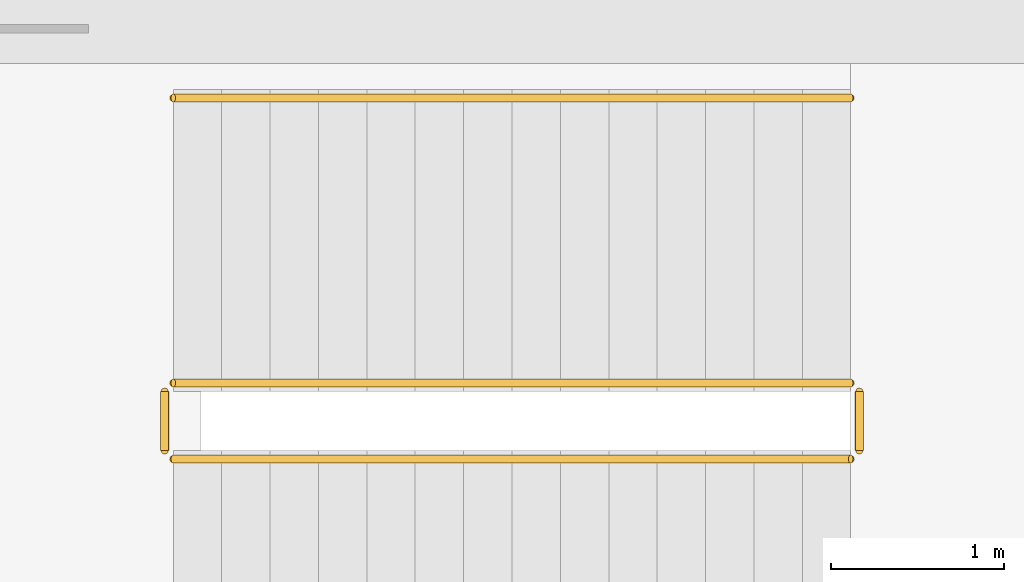
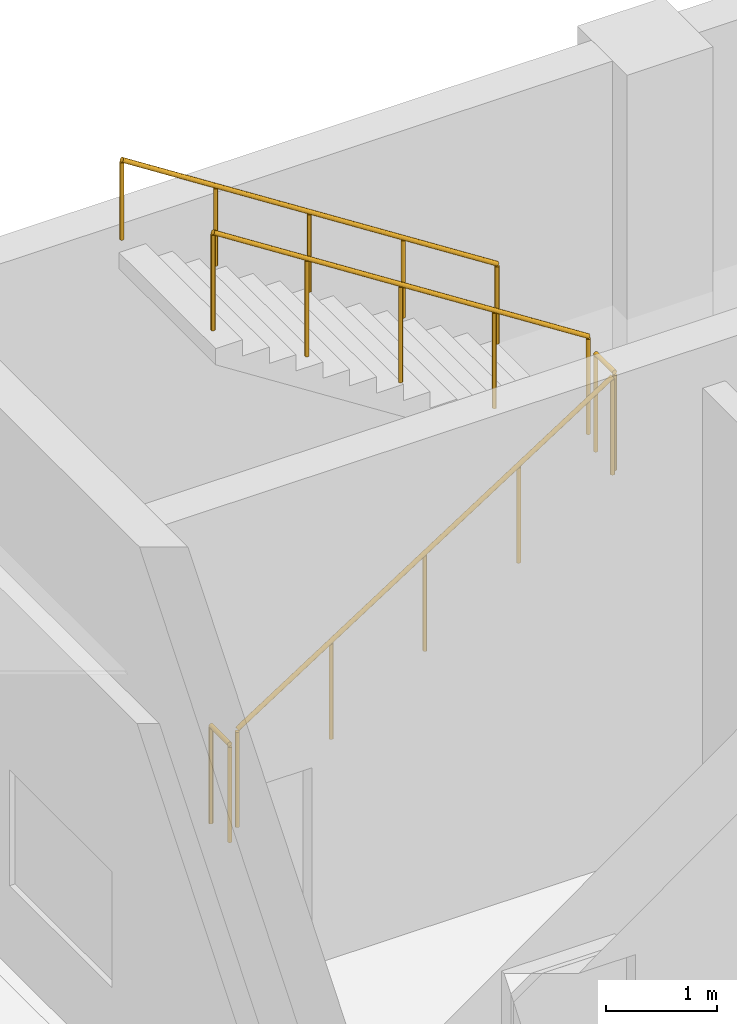
# One storey, part 64 of 65: 5 railings.
"""IFC4 building model written with IfcOpenShell, lengths in metres."""

import ifcopenshell
import ifcopenshell.guid

model = None  # the IFC model being written
_history = None  # IfcOwnerHistory: only IFC2X3 demands one
_inside = {}  # id of a spatial element -> (the spatial element, [elements in it])
_under = {}  # id of a project, library or spatial element -> (it, [spatial elements below it])
_declared = {}  # id of a project -> (the project, [libraries it declares])
_typed = {}  # id of a type object -> (the type object, [elements of that type])
_made_of = {}  # id of a material, layer set ... -> (it, [elements and type objects made of it])


def new_model(schema):
    """Start an empty IFC model of exactly this schema.

    Asked for "IFC4X3", IfcOpenShell would pick the latest addendum, in which some entities
    have other attributes; the version numbers below select the first issue.
    IFC2X3 requires an IfcOwnerHistory on every rooted entity: one is made here for all.
    """
    global model, _history
    if schema == "IFC4X3":
        model = ifcopenshell.file(schema_version=(4, 3, 0, 0))
    else:
        model = ifcopenshell.file(schema=schema)
    _inside.clear()
    _under.clear()
    _declared.clear()
    _typed.clear()
    _made_of.clear()
    _history = None
    if model.schema == "IFC2X3":
        org = make("IfcOrganization", Name="unknown")
        user = make(
            "IfcPersonAndOrganization",
            ThePerson=make("IfcPerson", FamilyName="unknown"),
            TheOrganization=org,
        )
        app = make(
            "IfcApplication",
            ApplicationDeveloper=org,
            Version="unknown",
            ApplicationFullName="unknown",
            ApplicationIdentifier="unknown",
        )
        _history = make(
            "IfcOwnerHistory",
            OwningUser=user,
            OwningApplication=app,
            ChangeAction="ADDED",
            CreationDate=0,
        )
    return model


def make(cls, **values):
    """One entity of the class cls with the attributes given. An attribute that is None is left unset."""
    return model.create_entity(
        cls, **{name: value for name, value in values.items() if value is not None}
    )


def rooted(cls, **values):
    """An entity with a GlobalId (a new one), such as an element, a storey or a relation."""
    return make(cls, GlobalId=ifcopenshell.guid.new(), OwnerHistory=_history, **values)


def si_unit(unit_type, name, prefix=None):
    """IfcSIUnit, for example si_unit("LENGTHUNIT", "METRE", prefix="MILLI")."""
    return make("IfcSIUnit", UnitType=unit_type, Prefix=prefix, Name=name)


def assignment(units):
    """IfcUnitAssignment: the units of a project."""
    return None if units is None else make("IfcUnitAssignment", Units=units)


def point(xyz):
    """IfcCartesianPoint."""
    return None if xyz is None else make("IfcCartesianPoint", Coordinates=xyz)


def direction(xyz):
    """IfcDirection."""
    return None if xyz is None else make("IfcDirection", DirectionRatios=xyz)


def frame(location, z_axis=None, x_axis=None):
    """IfcAxis2Placement3D, a coordinate frame: its origin and axes. An axis left out is left unset."""
    return make(
        "IfcAxis2Placement3D",
        Location=point(location),
        Axis=direction(z_axis),
        RefDirection=direction(x_axis),
    )


def frame_2d(location, x_axis=None):
    """IfcAxis2Placement2D, a coordinate frame in the plane: its origin and x axis."""
    return make(
        "IfcAxis2Placement2D", Location=point(location), RefDirection=direction(x_axis)
    )


def origin():
    """The frame at (0, 0, 0) with its axes left unset."""
    return frame((0.0, 0.0, 0.0))


def origin_2d():
    """The frame at (0, 0) in the plane with its x axis left unset."""
    return frame_2d((0.0, 0.0))


def place(relative_to, where):
    """IfcLocalPlacement: puts the frame where relative to a parent placement (None: the world)."""
    return make(
        "IfcLocalPlacement", PlacementRelTo=relative_to, RelativePlacement=where
    )


def context(
    kind, dimensions, precision=None, world=None, true_north=None, identifier=None
):
    """IfcGeometricRepresentationContext, for example the 3D "Model" context."""
    return make(
        "IfcGeometricRepresentationContext",
        ContextIdentifier=identifier,
        ContextType=kind,
        CoordinateSpaceDimension=dimensions,
        Precision=precision,
        WorldCoordinateSystem=world,
        TrueNorth=true_north,
    )


def subcontext(parent, identifier, kind, view, scale=None):
    """IfcGeometricRepresentationSubContext, for example "Body" below "Model"."""
    return make(
        "IfcGeometricRepresentationSubContext",
        ContextIdentifier=identifier,
        ContextType=kind,
        ParentContext=parent,
        TargetScale=scale,
        TargetView=view,
    )


def project(units=None, contexts=None):
    """IfcProject with its units and contexts."""
    return rooted(
        "IfcProject",
        Name="project",
        RepresentationContexts=contexts,
        UnitsInContext=assignment(units),
    )


def spatial(cls, under=None, at=None, **own):
    """A site, building, storey or space (cls), placed at a placement, below another one or the project."""
    s = rooted(cls, ObjectPlacement=at, **own)
    if under is not None:
        _under.setdefault(under.id(), (under, []))[1].append(s)
    return s


def profile(cls, at=None, kind="AREA", **sizes):
    """A parametric profile (cls). Its sizes go by their IFC names, for example OverallWidth=200.0."""
    return make(cls, ProfileType=kind, Position=at, **sizes)


def circle(**sizes):
    """IfcCircleProfileDef."""
    return profile("IfcCircleProfileDef", **sizes)


def extrude(swept, where, along, depth):
    """IfcExtrudedAreaSolid: the profile swept, set in the frame where, extruded along a direction by depth."""
    return make(
        "IfcExtrudedAreaSolid",
        SweptArea=swept,
        Position=where,
        ExtrudedDirection=direction(along),
        Depth=depth,
    )


def shape(context_of_items, identifier, shape_type, items):
    """IfcShapeRepresentation: the items that make up one representation, for example the "Body"."""
    return make(
        "IfcShapeRepresentation",
        ContextOfItems=context_of_items,
        RepresentationIdentifier=identifier,
        RepresentationType=shape_type,
        Items=items,
    )


def material(Name=None, Category=None):
    """IfcMaterial."""
    return make("IfcMaterial", Name=Name, Category=Category)


def layer(
    of_material, thickness, ventilated=None, Name=None, Category=None, Priority=None
):
    """IfcMaterialLayer: one layer of a wall or slab, of a material (None: an air gap)."""
    return make(
        "IfcMaterialLayer",
        Material=of_material,
        LayerThickness=thickness,
        IsVentilated=ventilated,
        Name=Name,
        Category=Category,
        Priority=Priority,
    )


def layer_set(layers, Name=None):
    """IfcMaterialLayerSet."""
    return make("IfcMaterialLayerSet", MaterialLayers=layers, LayerSetName=Name)


def made_of(thing, what):
    """Note that an element or type object is made of a material, layer set ...; save() writes the relation."""
    if what is not None:
        _made_of.setdefault(what.id(), (what, []))[1].append(thing)
    return thing


def type_object(cls, material=None, **own):
    """A type object (cls), such as IfcWallType, which elements share."""
    return made_of(rooted(cls, **own), material)


def element(
    cls,
    number,
    at=None,
    inside=None,
    cuts=None,
    type_object=None,
    material=None,
    context=None,
    identifier="Body",
    shape_type=None,
    held_by="IfcProductDefinitionShape",
    body=None,
    shapes=None,
    **own,
):
    """One element of the class cls, such as IfcWall. Its Tag is "e" and its number.

    at: its placement. inside: the storey or other place that contains it. cuts: it is an
    opening in that element (IfcRelVoidsElement). A single representation is given by context,
    identifier, shape_type and body (its items); several are given by shapes. held_by: the class
    of the entity that holds the representations. save() writes the other relations.
    """
    e = rooted(cls, Tag="e%d" % number, ObjectPlacement=at, **own)
    if body is not None:
        shapes = [shape(context, identifier, shape_type, body)]
    if shapes is not None:
        e.Representation = make(held_by, Representations=shapes)
    if inside is not None:
        _inside.setdefault(inside.id(), (inside, []))[1].append(e)
    if cuts is not None:
        rooted(
            "IfcRelVoidsElement", RelatingBuildingElement=cuts, RelatedOpeningElement=e
        )
    if type_object is not None:
        _typed.setdefault(type_object.id(), (type_object, []))[1].append(e)
    return made_of(e, material)


def aggregate(whole, parts):
    """IfcRelAggregates: a whole, such as a stair, and the parts it consists of."""
    return rooted("IfcRelAggregates", RelatingObject=whole, RelatedObjects=parts)


def save(model, path):
    """Write the relations noted so far, then the file.

    IfcRelAggregates (storeys below a building ...), IfcRelContainedInSpatialStructure (elements
    in a storey), IfcRelDefinesByType, IfcRelAssociatesMaterial and IfcRelDeclares: one each for
    every whole, place, type object, material and project.
    """
    for whole, parts in _under.values():
        aggregate(whole, parts)
    for where, things in _inside.values():
        rooted(
            "IfcRelContainedInSpatialStructure",
            RelatedElements=things,
            RelatingStructure=where,
        )
    for kind, things in _typed.values():
        rooted("IfcRelDefinesByType", RelatedObjects=things, RelatingType=kind)
    for what, things in _made_of.values():
        rooted("IfcRelAssociatesMaterial", RelatedObjects=things, RelatingMaterial=what)
    for by, libraries in _declared.values():
        rooted("IfcRelDeclares", RelatingContext=by, RelatedDefinitions=libraries)
    model.write(path)


model = new_model("IFC4")

# Units and contexts
model_context = context("Model", 3, precision=1e-05, world=origin(), true_north=direction((0.0, 1.0)))
body_context = subcontext(model_context, "Body", "Model", "MODEL_VIEW")
ifc_project = project(units=[si_unit("LENGTHUNIT", "METRE"), si_unit("AREAUNIT", "SQUARE_METRE"), si_unit("VOLUMEUNIT", "CUBIC_METRE"), si_unit("PLANEANGLEUNIT", "RADIAN"), si_unit("MASSUNIT", "GRAM", prefix="KILO")], contexts=[model_context])

# Site, building, storey
site_placement = place(None, origin())
site = spatial("IfcSite", under=ifc_project, at=site_placement, CompositionType="ELEMENT")
building_placement = place(site_placement, origin())
building = spatial("IfcBuilding", under=site, at=building_placement, Name="Zulmaris Art Gallery", CompositionType="ELEMENT")
storey_placement = place(building_placement, origin())
storey = spatial("IfcBuildingStorey", under=building, at=storey_placement, Name="L00", CompositionType="ELEMENT", Elevation=0.0)

# Railings
ifc_material_1 = material(Name="Steel S355J2", Category="steel")
ifc_layer_1 = layer(ifc_material_1, 0.050048828125)
ifc_layer_set_1 = layer_set([ifc_layer_1], Name="Steel S355J2")
railing_type_1 = type_object("IfcRailingType", Name="RAIL-STGRD", PredefinedType="GUARDRAIL", material=ifc_layer_set_1)
railing_1_placement = place(storey_placement, frame((186.300048828125, 73.110107421875, 0.179931640625)))
element("IfcRailing", 1, at=railing_1_placement, inside=storey, type_object=railing_type_1, Name="L00 ST4 stair guard 1", PredefinedType="GUARDRAIL", context=body_context, shape_type="SweptSolid", body=[
    extrude(circle(Radius=0.02392578125, at=origin_2d()), frame((0.0, 0.0, 1.076171875), z_axis=(0.841171666519, 0.0, 0.540768182723), x_axis=(0.0, 1.0, 0.0)), (0.0, 0.0, 1.0), 4.66015625),
    extrude(circle(Radius=0.02099609375, at=origin_2d()), origin(), (0.0, 0.0, 1.0), 1.052001953125),
    extrude(circle(Radius=0.02099609375, at=origin_2d()), frame((0.97998046875, 0.0, 0.6298828125)), (0.0, 0.0, 1.0), 1.052001953125),
    extrude(circle(Radius=0.02099609375, at=origin_2d()), frame((1.9599609375, 0.0, 1.260009765625)), (0.0, 0.0, 1.0), 1.052001953125),
    extrude(circle(Radius=0.02099609375, at=origin_2d()), frame((2.93994140625, 0.0, 1.89013671875)), (0.0, 0.0, 1.0), 1.052001953125),
    extrude(circle(Radius=0.02099609375, at=origin_2d()), frame((3.919921875, 0.0, 2.52001953125)), (0.0, 0.0, 1.0), 1.052001953125),
])
railing_2_placement = place(storey_placement, frame((190.27001953125, 73.159912109375, 2.699951171875)))
element("IfcRailing", 2, at=railing_2_placement, inside=storey, type_object=railing_type_1, Name="L00 ST4 stair guard 2", PredefinedType="GUARDRAIL", context=body_context, shape_type="SweptSolid", body=[
    extrude(circle(Radius=0.02392578125, at=origin_2d()), frame((0.0, 0.0, 1.076171875), z_axis=(0.0, 1.0, 0.0), x_axis=(-1.0, 0.0, 0.0)), (0.0, 0.0, 1.0), 0.340087890625),
    extrude(circle(Radius=0.02099609375, at=origin_2d()), origin(), (0.0, 0.0, 1.0), 1.052001953125),
    extrude(circle(Radius=0.02099609375, at=origin_2d()), frame((0.0, 0.340087890625, 0.0)), (0.0, 0.0, 1.0), 1.052001953125),
])
railing_3_placement = place(storey_placement, frame((190.219970703125, 73.550048828125, 2.8798828125)))
element("IfcRailing", 3, at=railing_3_placement, inside=storey, type_object=railing_type_1, Name="L00 ST4 stair guard 3", PredefinedType="GUARDRAIL", context=body_context, shape_type="SweptSolid", body=[
    extrude(circle(Radius=0.02392578125, at=origin_2d()), frame((0.0, 0.0, 1.076171875), z_axis=(-0.841171666519, 0.0, 0.540768182723), x_axis=(0.0, -1.0, 0.0)), (0.0, 0.0, 1.0), 4.66015625),
    extrude(circle(Radius=0.02099609375, at=origin_2d()), origin(), (0.0, 0.0, 1.0), 1.052001953125),
    extrude(circle(Radius=0.02099609375, at=origin_2d()), frame((-0.97998046875, 0.0, 0.6298828125)), (0.0, 0.0, 1.0), 1.052001953125),
    extrude(circle(Radius=0.02099609375, at=origin_2d()), frame((-1.9599609375, 0.0, 1.260009765625)), (0.0, 0.0, 1.0), 1.052001953125),
    extrude(circle(Radius=0.02099609375, at=origin_2d()), frame((-2.93994140625, 0.0, 1.89013671875)), (0.0, 0.0, 1.0), 1.052001953125),
    extrude(circle(Radius=0.02099609375, at=origin_2d()), frame((-3.919921875, 0.0, 2.52001953125)), (0.0, 0.0, 1.0), 1.052001953125),
])
railing_4_placement = place(storey_placement, frame((186.25, 73.159912109375, 0.0)))
element("IfcRailing", 4, at=railing_4_placement, inside=storey, type_object=railing_type_1, Name="L00 ST4 stair guard 4", PredefinedType="GUARDRAIL", context=body_context, shape_type="SweptSolid", body=[
    extrude(circle(Radius=0.02392578125, at=origin_2d()), frame((0.0, 0.0, 1.076171875), z_axis=(0.0, 1.0, 0.0), x_axis=(-1.0, 0.0, 0.0)), (0.0, 0.0, 1.0), 0.340087890625),
    extrude(circle(Radius=0.02099609375, at=origin_2d()), origin(), (0.0, 0.0, 1.0), 1.052001953125),
    extrude(circle(Radius=0.02099609375, at=origin_2d()), frame((0.0, 0.340087890625, 0.0)), (0.0, 0.0, 1.0), 1.052001953125),
])
ifc_material_2 = material(Name="Brushed Bronze Handrail", Category="steel")
ifc_layer_2 = layer(ifc_material_2, 0.048095703125)
ifc_layer_set_2 = layer_set([ifc_layer_2], Name="Brushed Bronze Handrail")
railing_type_2 = type_object("IfcRailingType", Name="RAIL-STHND", PredefinedType="HANDRAIL", material=ifc_layer_set_2)
railing_5_placement = place(storey_placement, frame((190.219970703125, 75.199951171875, 2.8798828125)))
element("IfcRailing", 5, at=railing_5_placement, inside=storey, type_object=railing_type_2, Name="L00 ST4 stair handrail 2", PredefinedType="HANDRAIL", context=body_context, shape_type="SweptSolid", body=[
    extrude(circle(Radius=0.02392578125, at=origin_2d()), frame((0.0, 0.0, 0.8759765625), z_axis=(-0.841171666519, 0.0, 0.540768182723), x_axis=(0.0, -1.0, 0.0)), (0.0, 0.0, 1.0), 4.66015625),
    extrude(circle(Radius=0.02099609375, at=origin_2d()), origin(), (0.0, 0.0, 1.0), 0.851806640625),
    extrude(circle(Radius=0.02099609375, at=origin_2d()), frame((-0.97998046875, 0.0, 0.6298828125)), (0.0, 0.0, 1.0), 0.851806640625),
    extrude(circle(Radius=0.02099609375, at=origin_2d()), frame((-1.9599609375, 0.0, 1.260009765625)), (0.0, 0.0, 1.0), 0.851806640625),
    extrude(circle(Radius=0.02099609375, at=origin_2d()), frame((-2.93994140625, 0.0, 1.89013671875)), (0.0, 0.0, 1.0), 0.851806640625),
    extrude(circle(Radius=0.02099609375, at=origin_2d()), frame((-3.919921875, 0.0, 2.52001953125)), (0.0, 0.0, 1.0), 0.851806640625),
])

save(model, "model.ifc")
